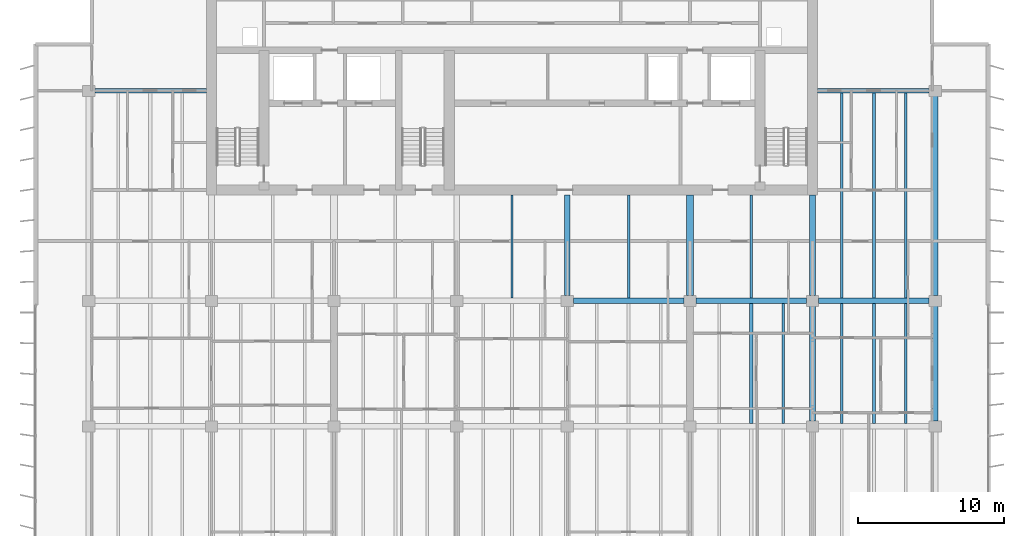
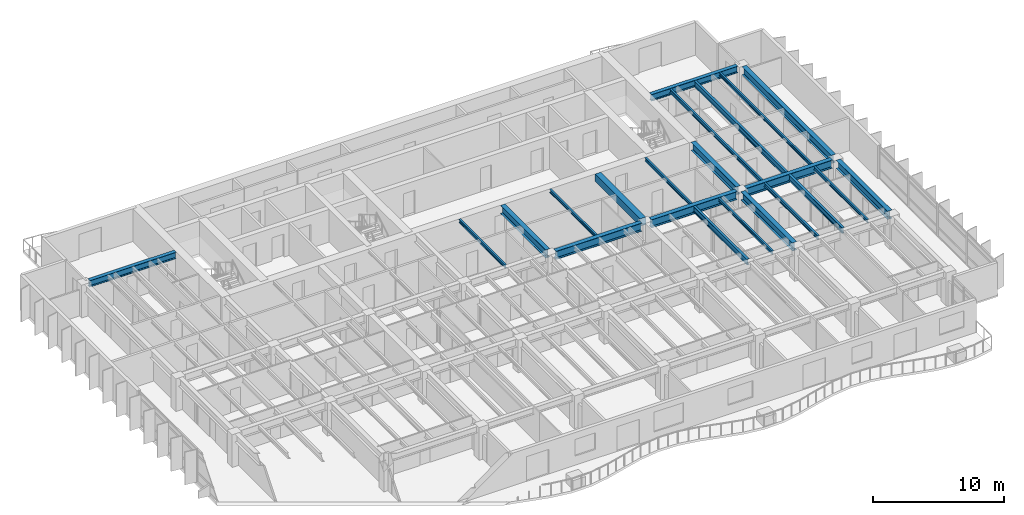
# One storey, part 5 of 19: 22 beams.
"""IFC4 building model written with IfcOpenShell, lengths in metres."""

from ifc_helpers import new_model, si_unit, direction, frame, origin, origin_2d, place, context, subcontext, project, spatial, rectangle, i_section, extrude, material, material_profile, profile_set, type_object, element, save


model = new_model("IFC4")

# Units and contexts
model_context = context("Model", 3, precision=1e-05, world=origin(), true_north=direction((0.0, 1.0)))
body_context = subcontext(model_context, "Body", "Model", "MODEL_VIEW")
ifc_project = project(units=[si_unit("LENGTHUNIT", "METRE"), si_unit("AREAUNIT", "SQUARE_METRE"), si_unit("VOLUMEUNIT", "CUBIC_METRE"), si_unit("PLANEANGLEUNIT", "RADIAN"), si_unit("MASSUNIT", "GRAM", prefix="KILO")], contexts=[model_context])

# Site, building, storey
site_placement = place(None, origin())
site = spatial("IfcSite", under=ifc_project, at=site_placement, CompositionType="ELEMENT")
building_placement = place(site_placement, origin())
building = spatial("IfcBuilding", under=site, at=building_placement, Name="Caelmar Bay Residences", CompositionType="ELEMENT")
storey_placement = place(building_placement, frame((0.0, 0.0, 191.699951171875)))
storey = spatial("IfcBuildingStorey", under=building, at=storey_placement, Name="L53", CompositionType="ELEMENT", Elevation=191.699951171875)

# Beams
ifc_material_1 = material(Name="Steel ASTM A992 Grade 50", Category="steel")
ifc_material_profile_1 = material_profile(ifc_material_1, i_section(OverallWidth=0.381103515625, OverallDepth=0.77197265625, WebThickness=0.0166015625, FlangeThickness=0.027099609375, FilletRadius=0.0166015625, at=origin_2d()), Name="W30X173")
ifc_profile_set_1 = profile_set([ifc_material_profile_1], Name="Steel ASTM A992 Grade 50")
beam_type_1 = type_object("IfcBeamType", Name="BM-GRD-W30X173", PredefinedType="BEAM", material=ifc_profile_set_1)
for number, where, z_axis, x_axis, name in (
    (1, (43.114990234375, 29.39990234375, 2.6640625), (1.0, 0.0, 0.0), (0.0, 1.0, 0.0), "L53 East-West Girder Y=29.40 (42.7-51.1)"),
    (2, (51.514892578125, 29.39990234375, 2.6640625), (1.0, 0.0, 0.0), (0.0, 1.0, 0.0), "L53 East-West Girder Y=29.40 (51.1-59.5)"),
    (3, (59.9150390625, 29.39990234375, 2.6640625), (1.0, 0.0, 0.0), (0.0, 1.0, 0.0), "L53 East-West Girder Y=29.40 (59.5-67.9)"),
):
    element("IfcBeam", number, at=place(storey_placement, frame(where, z_axis=z_axis, x_axis=x_axis)), inside=storey, type_object=beam_type_1, Name=name, PredefinedType="BEAM", context=body_context, shape_type="SweptSolid", body=[
        extrude(i_section(OverallWidth=0.381103515625, OverallDepth=0.77197265625, WebThickness=0.0166015625, FlangeThickness=0.027099609375, FilletRadius=0.0166015625, at=origin_2d()), origin(), (0.0, 0.0, 1.0), 7.570068359375),
    ])
for number, where, z_axis, x_axis, name in (
    (4, (42.699951171875, 29.764892578125, 2.6640625), (0.0, 1.0, 0.0), (-1.0, 0.0, 0.0), "L53 Core Tie Girder X=42.70"),
    (5, (59.5, 29.764892578125, 2.6640625), (0.0, 1.0, 0.0), (-1.0, 0.0, 0.0), "L53 Core Tie Girder X=59.50"),
):
    element("IfcBeam", number, at=place(storey_placement, frame(where, z_axis=z_axis, x_axis=x_axis)), inside=storey, type_object=beam_type_1, Name=name, PredefinedType="BEAM", context=body_context, shape_type="SweptSolid", body=[
        extrude(i_section(OverallWidth=0.381103515625, OverallDepth=0.77197265625, WebThickness=0.0166015625, FlangeThickness=0.027099609375, FilletRadius=0.0166015625, at=origin_2d()), origin(), (0.0, 0.0, 1.0), 6.885009765625),
    ])
for number, where, z_axis, x_axis, name in (
    (6, (59.5, 21.1650390625, 2.6640625), (0.0, 1.0, 0.0), (-1.0, 0.0, 0.0), "L53 North-South Girder X=59.50 (20.8-29.4)"),
    (7, (67.89990234375, 21.1650390625, 2.6640625), (0.0, 1.0, 0.0), (-1.0, 0.0, 0.0), "L53 North-South Girder X=67.90 (20.8-29.4)"),
):
    element("IfcBeam", number, at=place(storey_placement, frame(where, z_axis=z_axis, x_axis=x_axis)), inside=storey, type_object=beam_type_1, Name=name, PredefinedType="BEAM", context=body_context, shape_type="SweptSolid", body=[
        extrude(i_section(OverallWidth=0.381103515625, OverallDepth=0.77197265625, WebThickness=0.0166015625, FlangeThickness=0.027099609375, FilletRadius=0.0166015625, at=origin_2d()), origin(), (0.0, 0.0, 1.0), 7.869873046875),
    ])
beam_1_placement = place(storey_placement, frame((67.89990234375, 29.764892578125, 2.6640625), z_axis=(0.0, 1.0, 0.0), x_axis=(-1.0, 0.0, 0.0)))
element("IfcBeam", 8, at=beam_1_placement, inside=storey, type_object=beam_type_1, Name="L53 North-South Girder X=67.90 (29.4-43.8)", PredefinedType="BEAM", context=body_context, shape_type="SweptSolid", body=[
    extrude(i_section(OverallWidth=0.381103515625, OverallDepth=0.77197265625, WebThickness=0.0166015625, FlangeThickness=0.027099609375, FilletRadius=0.0166015625, at=origin_2d()), origin(), (0.0, 0.0, 1.0), 13.670166015625),
])
ifc_material_profile_2 = material_profile(ifc_material_1, i_section(OverallWidth=0.1650390625, OverallDepth=0.31005859375, WebThickness=0.005859375, FlangeThickness=0.009765625, FilletRadius=0.007568359375, at=origin_2d()), Name="W12X26")
ifc_profile_set_2 = profile_set([ifc_material_profile_2], Name="Steel ASTM A992 Grade 50")
beam_type_2 = type_object("IfcBeamType", Name="BM-JST-W12X26", PredefinedType="JOIST", material=ifc_profile_set_2)
for number, where, z_axis, x_axis, name in (
    (9, (57.48388671875, 20.990478515625, 2.89501953125), (0.0, 1.0, 0.0), (-1.0, 0.0, 0.0), "L53 Composite Floor Joist 39"),
    (10, (65.884033203125, 20.990478515625, 2.89501953125), (0.0, 1.0, 0.0), (-1.0, 0.0, 0.0), "L53 Composite Floor Joist 42"),
):
    element("IfcBeam", number, at=place(storey_placement, frame(where, z_axis=z_axis, x_axis=x_axis)), inside=storey, type_object=beam_type_2, Name=name, PredefinedType="JOIST", context=body_context, shape_type="SweptSolid", body=[
        extrude(i_section(OverallWidth=0.1650390625, OverallDepth=0.31005859375, WebThickness=0.005859375, FlangeThickness=0.009765625, FilletRadius=0.007568359375, at=origin_2d()), origin(), (0.0, 0.0, 1.0), 8.218994140625),
    ])
for number, where, z_axis, x_axis, name in (
    (11, (38.89990234375, 29.590576171875, 2.89501953125), (0.0, 1.0, 0.0), (-1.0, 0.0, 0.0), "L53 Core-Band Composite Joist 45"),
    (12, (46.89990234375, 29.590576171875, 2.89501953125), (0.0, 1.0, 0.0), (-1.0, 0.0, 0.0), "L53 Core-Band Composite Joist 46"),
    (13, (55.300048828125, 29.590576171875, 2.89501953125), (0.0, 1.0, 0.0), (-1.0, 0.0, 0.0), "L53 Core-Band Composite Joist 47"),
):
    element("IfcBeam", number, at=place(storey_placement, frame(where, z_axis=z_axis, x_axis=x_axis)), inside=storey, type_object=beam_type_2, Name=name, PredefinedType="JOIST", context=body_context, shape_type="SweptSolid", body=[
        extrude(i_section(OverallWidth=0.1650390625, OverallDepth=0.31005859375, WebThickness=0.005859375, FlangeThickness=0.009765625, FilletRadius=0.007568359375, at=origin_2d()), origin(), (0.0, 0.0, 1.0), 7.059326171875),
    ])
beam_2_placement = place(storey_placement, frame((65.884033203125, 29.590576171875, 2.89501953125), z_axis=(0.0, 1.0, 0.0), x_axis=(-1.0, 0.0, 0.0)))
element("IfcBeam", 14, at=beam_2_placement, inside=storey, type_object=beam_type_2, Name="L53 Composite Floor Joist 53", PredefinedType="JOIST", context=body_context, shape_type="SweptSolid", body=[
    extrude(i_section(OverallWidth=0.1650390625, OverallDepth=0.31005859375, WebThickness=0.005859375, FlangeThickness=0.009765625, FilletRadius=0.007568359375, at=origin_2d()), origin(), (0.0, 0.0, 1.0), 14.046875),
])
ifc_material_profile_3 = material_profile(ifc_material_1, i_section(OverallWidth=0.1708984375, OverallDepth=0.35595703125, WebThickness=0.007080078125, FlangeThickness=0.01171875, FilletRadius=0.007568359375, at=origin_2d()), Name="W14X34")
ifc_profile_set_3 = profile_set([ifc_material_profile_3], Name="Steel ASTM A992 Grade 50")
beam_type_3 = type_object("IfcBeamType", Name="BM-JST-W14X34", PredefinedType="JOIST", material=ifc_profile_set_3)
beam_3_placement = place(storey_placement, frame((61.51611328125, 20.990478515625, 2.8720703125), z_axis=(0.0, 1.0, 0.0), x_axis=(-1.0, 0.0, 0.0)))
element("IfcBeam", 15, at=beam_3_placement, inside=storey, type_object=beam_type_3, Name="L53 Composite Floor Joist 40", PredefinedType="JOIST", context=body_context, shape_type="SweptSolid", body=[
    extrude(i_section(OverallWidth=0.1708984375, OverallDepth=0.35595703125, WebThickness=0.007080078125, FlangeThickness=0.01171875, FilletRadius=0.007568359375, at=origin_2d()), origin(), (0.0, 0.0, 1.0), 8.218994140625),
])
beam_4_placement = place(storey_placement, frame((61.51611328125, 29.590576171875, 2.8720703125), z_axis=(0.0, 1.0, 0.0), x_axis=(-1.0, 0.0, 0.0)))
element("IfcBeam", 16, at=beam_4_placement, inside=storey, type_object=beam_type_3, Name="L53 Composite Floor Joist 51", PredefinedType="JOIST", context=body_context, shape_type="SweptSolid", body=[
    extrude(i_section(OverallWidth=0.1708984375, OverallDepth=0.35595703125, WebThickness=0.007080078125, FlangeThickness=0.01171875, FilletRadius=0.007568359375, at=origin_2d()), origin(), (0.0, 0.0, 1.0), 14.046875),
])
ifc_material_profile_4 = material_profile(ifc_material_1, i_section(OverallWidth=0.2099609375, OverallDepth=0.535888671875, WebThickness=0.010986328125, FlangeThickness=0.017333984375, FilletRadius=0.0126953125, at=origin_2d()), Name="W21X68")
ifc_profile_set_4 = profile_set([ifc_material_profile_4], Name="Steel ASTM A992 Grade 50")
beam_type_4 = type_object("IfcBeamType", Name="BM-JST-W21X68", PredefinedType="JOIST", material=ifc_profile_set_4)
for number, where, z_axis, x_axis, name in (
    (17, (55.300048828125, 20.990478515625, 2.781982421875), (0.0, 1.0, 0.0), (-1.0, 0.0, 0.0), "L53 Composite Floor Joist 38"),
    (18, (63.699951171875, 20.990478515625, 2.781982421875), (0.0, 1.0, 0.0), (-1.0, 0.0, 0.0), "L53 Composite Floor Joist 41"),
):
    element("IfcBeam", number, at=place(storey_placement, frame(where, z_axis=z_axis, x_axis=x_axis)), inside=storey, type_object=beam_type_4, Name=name, PredefinedType="JOIST", context=body_context, shape_type="SweptSolid", body=[
        extrude(i_section(OverallWidth=0.2099609375, OverallDepth=0.535888671875, WebThickness=0.010986328125, FlangeThickness=0.017333984375, FilletRadius=0.0126953125, at=origin_2d()), origin(), (0.0, 0.0, 1.0), 8.218994140625),
    ])
beam_5_placement = place(storey_placement, frame((63.699951171875, 29.590576171875, 2.781982421875), z_axis=(0.0, 1.0, 0.0), x_axis=(-1.0, 0.0, 0.0)))
element("IfcBeam", 19, at=beam_5_placement, inside=storey, type_object=beam_type_4, Name="L53 Composite Floor Joist 52", PredefinedType="JOIST", context=body_context, shape_type="SweptSolid", body=[
    extrude(i_section(OverallWidth=0.2099609375, OverallDepth=0.535888671875, WebThickness=0.010986328125, FlangeThickness=0.017333984375, FilletRadius=0.0126953125, at=origin_2d()), origin(), (0.0, 0.0, 1.0), 14.046875),
])
ifc_material_2 = material(Name="Concrete f'c 55 MPa (8,000 psi)", Category="concrete")
ifc_material_profile_5 = material_profile(ifc_material_2, rectangle(XDim=0.5, YDim=0.699951171875, at=origin_2d()), Name="RC-BM-500X700")
ifc_profile_set_5 = profile_set([ifc_material_profile_5], Name="Concrete f'c 55 MPa (8,000 psi)")
beam_type_5 = type_object("IfcBeamType", Name="BM-RC-500X700", PredefinedType="LINTEL", material=ifc_profile_set_5)
beam_6_placement = place(storey_placement, frame((51.10009765625, 29.764892578125, 2.699951171875), z_axis=(0.0, 1.0, 0.0), x_axis=(-1.0, 0.0, 0.0)))
element("IfcBeam", 20, at=beam_6_placement, inside=storey, type_object=beam_type_5, Name="L53 Shear-Wall Corridor Coupling Lintel E8", PredefinedType="LINTEL", context=body_context, shape_type="SweptSolid", body=[
    extrude(rectangle(XDim=0.5, YDim=0.699951171875, at=origin_2d()), origin(), (0.0, 0.0, 1.0), 6.885009765625),
])
ifc_material_profile_6 = material_profile(ifc_material_1, i_section(OverallWidth=0.324951171875, OverallDepth=0.616943359375, WebThickness=0.013916015625, FlangeThickness=0.021484375, FilletRadius=0.0126953125, at=origin_2d()), Name="W24X117")
ifc_profile_set_6 = profile_set([ifc_material_profile_6], Name="Steel ASTM A992 Grade 50")
beam_type_6 = type_object("IfcBeamType", Name="BM-SPN-W24X117", PredefinedType="SPANDREL", material=ifc_profile_set_6)
for number, where, z_axis, x_axis, name in (
    (21, (10.31494140625, 43.800048828125, 2.741455078125), (1.0, 0.0, 0.0), (0.0, 1.0, 0.0), "L53 North-West Wing Core Tie Girder"),
    (22, (59.85009765625, 43.800048828125, 2.741455078125), (1.0, 0.0, 0.0), (0.0, 1.0, 0.0), "L53 North-East Wing Core Tie Girder"),
):
    element("IfcBeam", number, at=place(storey_placement, frame(where, z_axis=z_axis, x_axis=x_axis)), inside=storey, type_object=beam_type_6, Name=name, PredefinedType="SPANDREL", context=body_context, shape_type="SweptSolid", body=[
        extrude(i_section(OverallWidth=0.324951171875, OverallDepth=0.616943359375, WebThickness=0.013916015625, FlangeThickness=0.021484375, FilletRadius=0.0126953125, at=origin_2d()), origin(), (0.0, 0.0, 1.0), 7.635009765625),
    ])

save(model, "model.ifc")
